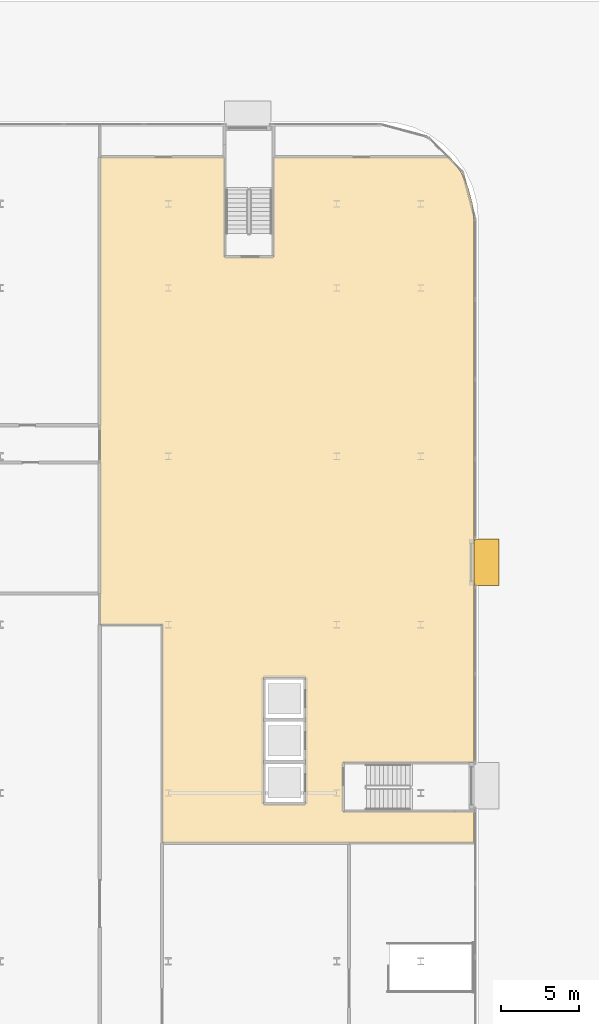
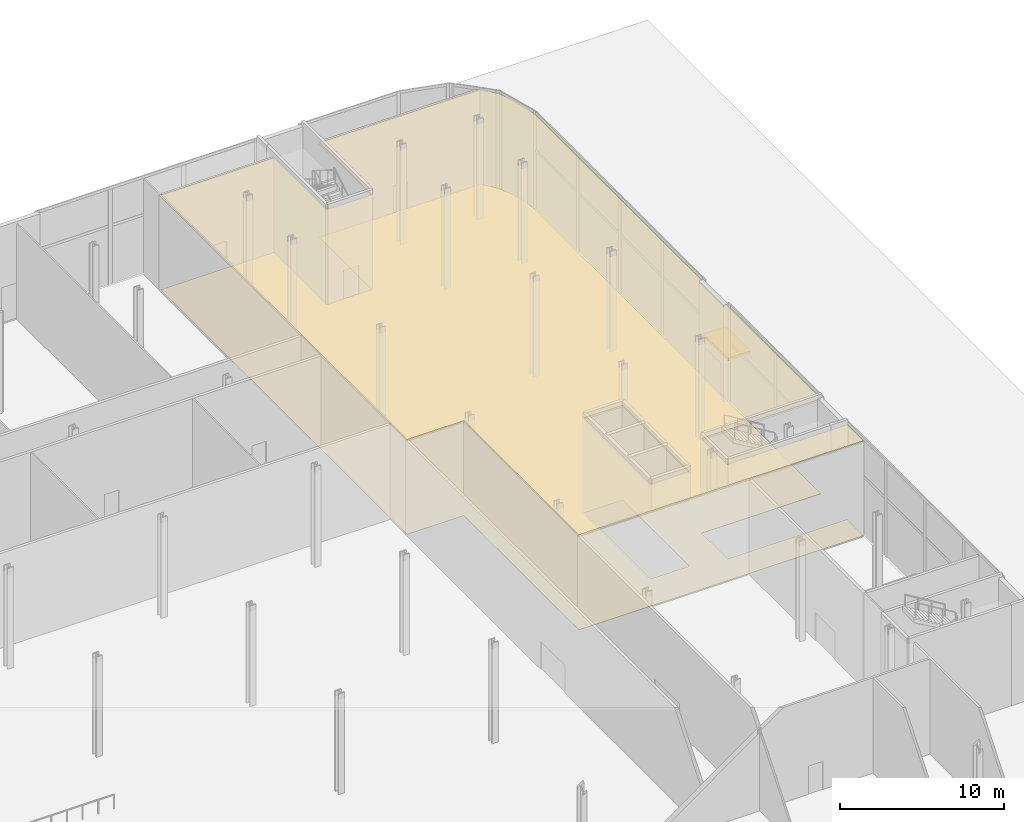
# One storey, part 44 of 46: 2 coverings, 1 shading device.
"""IFC4 building model written with IfcOpenShell, lengths in metres."""

import ifcopenshell
import ifcopenshell.guid

model = None  # the IFC model being written
_history = None  # IfcOwnerHistory: only IFC2X3 demands one
_inside = {}  # id of a spatial element -> (the spatial element, [elements in it])
_under = {}  # id of a project, library or spatial element -> (it, [spatial elements below it])
_declared = {}  # id of a project -> (the project, [libraries it declares])
_typed = {}  # id of a type object -> (the type object, [elements of that type])
_made_of = {}  # id of a material, layer set ... -> (it, [elements and type objects made of it])


def new_model(schema):
    """Start an empty IFC model of exactly this schema.

    Asked for "IFC4X3", IfcOpenShell would pick the latest addendum, in which some entities
    have other attributes; the version numbers below select the first issue.
    IFC2X3 requires an IfcOwnerHistory on every rooted entity: one is made here for all.
    """
    global model, _history
    if schema == "IFC4X3":
        model = ifcopenshell.file(schema_version=(4, 3, 0, 0))
    else:
        model = ifcopenshell.file(schema=schema)
    _inside.clear()
    _under.clear()
    _declared.clear()
    _typed.clear()
    _made_of.clear()
    _history = None
    if model.schema == "IFC2X3":
        org = make("IfcOrganization", Name="unknown")
        user = make(
            "IfcPersonAndOrganization",
            ThePerson=make("IfcPerson", FamilyName="unknown"),
            TheOrganization=org,
        )
        app = make(
            "IfcApplication",
            ApplicationDeveloper=org,
            Version="unknown",
            ApplicationFullName="unknown",
            ApplicationIdentifier="unknown",
        )
        _history = make(
            "IfcOwnerHistory",
            OwningUser=user,
            OwningApplication=app,
            ChangeAction="ADDED",
            CreationDate=0,
        )
    return model


def make(cls, **values):
    """One entity of the class cls with the attributes given. An attribute that is None is left unset."""
    return model.create_entity(
        cls, **{name: value for name, value in values.items() if value is not None}
    )


def rooted(cls, **values):
    """An entity with a GlobalId (a new one), such as an element, a storey or a relation."""
    return make(cls, GlobalId=ifcopenshell.guid.new(), OwnerHistory=_history, **values)


def si_unit(unit_type, name, prefix=None):
    """IfcSIUnit, for example si_unit("LENGTHUNIT", "METRE", prefix="MILLI")."""
    return make("IfcSIUnit", UnitType=unit_type, Prefix=prefix, Name=name)


def assignment(units):
    """IfcUnitAssignment: the units of a project."""
    return None if units is None else make("IfcUnitAssignment", Units=units)


def point(xyz):
    """IfcCartesianPoint."""
    return None if xyz is None else make("IfcCartesianPoint", Coordinates=xyz)


def direction(xyz):
    """IfcDirection."""
    return None if xyz is None else make("IfcDirection", DirectionRatios=xyz)


def frame(location, z_axis=None, x_axis=None):
    """IfcAxis2Placement3D, a coordinate frame: its origin and axes. An axis left out is left unset."""
    return make(
        "IfcAxis2Placement3D",
        Location=point(location),
        Axis=direction(z_axis),
        RefDirection=direction(x_axis),
    )


def frame_2d(location, x_axis=None):
    """IfcAxis2Placement2D, a coordinate frame in the plane: its origin and x axis."""
    return make(
        "IfcAxis2Placement2D", Location=point(location), RefDirection=direction(x_axis)
    )


def origin():
    """The frame at (0, 0, 0) with its axes left unset."""
    return frame((0.0, 0.0, 0.0))


def origin_2d():
    """The frame at (0, 0) in the plane with its x axis left unset."""
    return frame_2d((0.0, 0.0))


def place(relative_to, where):
    """IfcLocalPlacement: puts the frame where relative to a parent placement (None: the world)."""
    return make(
        "IfcLocalPlacement", PlacementRelTo=relative_to, RelativePlacement=where
    )


def context(
    kind, dimensions, precision=None, world=None, true_north=None, identifier=None
):
    """IfcGeometricRepresentationContext, for example the 3D "Model" context."""
    return make(
        "IfcGeometricRepresentationContext",
        ContextIdentifier=identifier,
        ContextType=kind,
        CoordinateSpaceDimension=dimensions,
        Precision=precision,
        WorldCoordinateSystem=world,
        TrueNorth=true_north,
    )


def subcontext(parent, identifier, kind, view, scale=None):
    """IfcGeometricRepresentationSubContext, for example "Body" below "Model"."""
    return make(
        "IfcGeometricRepresentationSubContext",
        ContextIdentifier=identifier,
        ContextType=kind,
        ParentContext=parent,
        TargetScale=scale,
        TargetView=view,
    )


def project(units=None, contexts=None):
    """IfcProject with its units and contexts."""
    return rooted(
        "IfcProject",
        Name="project",
        RepresentationContexts=contexts,
        UnitsInContext=assignment(units),
    )


def spatial(cls, under=None, at=None, **own):
    """A site, building, storey or space (cls), placed at a placement, below another one or the project."""
    s = rooted(cls, ObjectPlacement=at, **own)
    if under is not None:
        _under.setdefault(under.id(), (under, []))[1].append(s)
    return s


def polyline(points):
    """IfcPolyline through the points."""
    return make("IfcPolyline", Points=[point(p) for p in points])


def profile(cls, at=None, kind="AREA", **sizes):
    """A parametric profile (cls). Its sizes go by their IFC names, for example OverallWidth=200.0."""
    return make(cls, ProfileType=kind, Position=at, **sizes)


def rectangle(**sizes):
    """IfcRectangleProfileDef."""
    return profile("IfcRectangleProfileDef", **sizes)


def outline(outer, holes=None, kind="AREA"):
    """IfcArbitraryClosedProfileDef: a profile drawn as a closed curve; with holes, ...WithVoids."""
    if holes is None:
        return make("IfcArbitraryClosedProfileDef", ProfileType=kind, OuterCurve=outer)
    return make(
        "IfcArbitraryProfileDefWithVoids",
        ProfileType=kind,
        OuterCurve=outer,
        InnerCurves=holes,
    )


def extrude(swept, where, along, depth):
    """IfcExtrudedAreaSolid: the profile swept, set in the frame where, extruded along a direction by depth."""
    return make(
        "IfcExtrudedAreaSolid",
        SweptArea=swept,
        Position=where,
        ExtrudedDirection=direction(along),
        Depth=depth,
    )


def shape(context_of_items, identifier, shape_type, items):
    """IfcShapeRepresentation: the items that make up one representation, for example the "Body"."""
    return make(
        "IfcShapeRepresentation",
        ContextOfItems=context_of_items,
        RepresentationIdentifier=identifier,
        RepresentationType=shape_type,
        Items=items,
    )


def material(Name=None, Category=None):
    """IfcMaterial."""
    return make("IfcMaterial", Name=Name, Category=Category)


def layer(
    of_material, thickness, ventilated=None, Name=None, Category=None, Priority=None
):
    """IfcMaterialLayer: one layer of a wall or slab, of a material (None: an air gap)."""
    return make(
        "IfcMaterialLayer",
        Material=of_material,
        LayerThickness=thickness,
        IsVentilated=ventilated,
        Name=Name,
        Category=Category,
        Priority=Priority,
    )


def layer_set(layers, Name=None):
    """IfcMaterialLayerSet."""
    return make("IfcMaterialLayerSet", MaterialLayers=layers, LayerSetName=Name)


def made_of(thing, what):
    """Note that an element or type object is made of a material, layer set ...; save() writes the relation."""
    if what is not None:
        _made_of.setdefault(what.id(), (what, []))[1].append(thing)
    return thing


def type_object(cls, material=None, **own):
    """A type object (cls), such as IfcWallType, which elements share."""
    return made_of(rooted(cls, **own), material)


def element(
    cls,
    number,
    at=None,
    inside=None,
    cuts=None,
    type_object=None,
    material=None,
    context=None,
    identifier="Body",
    shape_type=None,
    held_by="IfcProductDefinitionShape",
    body=None,
    shapes=None,
    **own,
):
    """One element of the class cls, such as IfcWall. Its Tag is "e" and its number.

    at: its placement. inside: the storey or other place that contains it. cuts: it is an
    opening in that element (IfcRelVoidsElement). A single representation is given by context,
    identifier, shape_type and body (its items); several are given by shapes. held_by: the class
    of the entity that holds the representations. save() writes the other relations.
    """
    e = rooted(cls, Tag="e%d" % number, ObjectPlacement=at, **own)
    if body is not None:
        shapes = [shape(context, identifier, shape_type, body)]
    if shapes is not None:
        e.Representation = make(held_by, Representations=shapes)
    if inside is not None:
        _inside.setdefault(inside.id(), (inside, []))[1].append(e)
    if cuts is not None:
        rooted(
            "IfcRelVoidsElement", RelatingBuildingElement=cuts, RelatedOpeningElement=e
        )
    if type_object is not None:
        _typed.setdefault(type_object.id(), (type_object, []))[1].append(e)
    return made_of(e, material)


def aggregate(whole, parts):
    """IfcRelAggregates: a whole, such as a stair, and the parts it consists of."""
    return rooted("IfcRelAggregates", RelatingObject=whole, RelatedObjects=parts)


def save(model, path):
    """Write the relations noted so far, then the file.

    IfcRelAggregates (storeys below a building ...), IfcRelContainedInSpatialStructure (elements
    in a storey), IfcRelDefinesByType, IfcRelAssociatesMaterial and IfcRelDeclares: one each for
    every whole, place, type object, material and project.
    """
    for whole, parts in _under.values():
        aggregate(whole, parts)
    for where, things in _inside.values():
        rooted(
            "IfcRelContainedInSpatialStructure",
            RelatedElements=things,
            RelatingStructure=where,
        )
    for kind, things in _typed.values():
        rooted("IfcRelDefinesByType", RelatedObjects=things, RelatingType=kind)
    for what, things in _made_of.values():
        rooted("IfcRelAssociatesMaterial", RelatedObjects=things, RelatingMaterial=what)
    for by, libraries in _declared.values():
        rooted("IfcRelDeclares", RelatingContext=by, RelatedDefinitions=libraries)
    model.write(path)


model = new_model("IFC4")

# Units and contexts
model_context = context("Model", 3, precision=1e-05, world=origin(), true_north=direction((0.0, 1.0)))
body_context = subcontext(model_context, "Body", "Model", "MODEL_VIEW")
ifc_project = project(units=[si_unit("LENGTHUNIT", "METRE"), si_unit("AREAUNIT", "SQUARE_METRE"), si_unit("VOLUMEUNIT", "CUBIC_METRE"), si_unit("PLANEANGLEUNIT", "RADIAN"), si_unit("MASSUNIT", "GRAM", prefix="KILO")], contexts=[model_context])

# Site, building, storey
site_placement = place(None, origin())
site = spatial("IfcSite", under=ifc_project, at=site_placement, CompositionType="ELEMENT")
building_placement = place(site_placement, origin())
building = spatial("IfcBuilding", under=site, at=building_placement, Name="Kheshtan School and Residences Tower", CompositionType="ELEMENT")
storey_placement = place(building_placement, origin())
storey = spatial("IfcBuildingStorey", under=building, at=storey_placement, Name="L00", CompositionType="ELEMENT", Elevation=0.0)

# Shading device
ifc_material_1 = material(Name="Zinc standing seam on insulated deck")
ifc_layer_1 = layer(ifc_material_1, 0.10009765625)
ifc_layer_set_1 = layer_set([ifc_layer_1], Name="Canopy awning")
shading_device_type = type_object("IfcShadingDeviceType", Name="Canopy awning", PredefinedType="AWNING", material=ifc_layer_set_1)
shading_device_placement = place(storey_placement, frame((132.800048828125, 82.0, 3.0), z_axis=(0.0, 0.0, 1.0), x_axis=(0.0, -1.0, 0.0)))
element("IfcShadingDevice", 1, at=shading_device_placement, inside=storey, type_object=shading_device_type, Name="Entrance canopy 8.1", PredefinedType="AWNING", context=body_context, shape_type="SweptSolid", body=[
    extrude(rectangle(XDim=3.0, YDim=1.60009765625, at=origin_2d()), origin(), (0.0, 0.0, 1.0), 0.199951171875),
])

# Coverings
ifc_material_2 = material(Name="Polished granite paving on screed", Category="masonry")
ifc_layer_2 = layer(ifc_material_2, 0.030029296875)
ifc_layer_set_2 = layer_set([ifc_layer_2], Name="Stone floor finish 30")
covering_type_1 = type_object("IfcCoveringType", Name="Stone floor finish 30", PredefinedType="FLOORING", material=ifc_layer_set_2)
covering_1_placement = place(storey_placement, origin())
element("IfcCovering", 2, at=covering_1_placement, inside=storey, type_object=covering_type_1, Name="Floor finish School Lobby L00", PredefinedType="FLOORING", context=body_context, shape_type="SweptSolid", body=[
    extrude(outline(polyline([(130.452880859375, 108.0), (119.14990234375, 108.0), (119.14990234375, 101.60009765625), (116.0, 101.60009765625), (116.0, 108.0), (108.0, 108.0), (108.0, 78.0), (112.0, 78.0), (112.0, 64.0), (132.0, 64.0), (132.0, 66.0), (123.60009765625, 66.0), (123.60009765625, 69.14990234375), (132.0, 69.14990234375), (132.0, 104.0), (131.908935546875, 105.0419921875), (131.637939453125, 106.052001953125), (131.196044921875, 107.0), (130.595947265625, 107.85693359375), (130.452880859375, 108.0)]), holes=[polyline([(121.199951171875, 66.5), (118.5, 66.5), (118.5, 74.60009765625), (121.199951171875, 74.60009765625), (121.199951171875, 66.5)])]), origin(), (0.0, 0.0, 1.0), 0.030029296875),
])
ifc_material_3 = material(Name="Plasterboard ceiling tiles on metal grid")
ifc_layer_3 = layer(ifc_material_3, 0.14990234375)
ifc_layer_set_3 = layer_set([ifc_layer_3], Name="Suspended ceiling 150 plasterboard tiles")
covering_type_2 = type_object("IfcCoveringType", Name="Suspended ceiling 150 plasterboard tiles", PredefinedType="CEILING", material=ifc_layer_set_3)
covering_2_placement = place(storey_placement, frame((0.0, 0.0, 6.929931640625)))
element("IfcCovering", 3, at=covering_2_placement, inside=storey, type_object=covering_type_2, Name="Ceiling School Lobby L00", PredefinedType="CEILING", context=body_context, shape_type="SweptSolid", body=[
    extrude(outline(polyline([(130.452880859375, 108.0), (119.14990234375, 108.0), (119.14990234375, 101.60009765625), (116.0, 101.60009765625), (116.0, 108.0), (108.0, 108.0), (108.0, 78.0), (112.0, 78.0), (112.0, 64.0), (132.0, 64.0), (132.0, 66.0), (123.60009765625, 66.0), (123.60009765625, 69.14990234375), (132.0, 69.14990234375), (132.0, 104.0), (131.908935546875, 105.0419921875), (131.637939453125, 106.052001953125), (131.196044921875, 107.0), (130.595947265625, 107.85693359375), (130.452880859375, 108.0)]), holes=[polyline([(121.199951171875, 66.5), (118.5, 66.5), (118.5, 74.60009765625), (121.199951171875, 74.60009765625), (121.199951171875, 66.5)])]), origin(), (0.0, 0.0, 1.0), 0.150146484375),
])

save(model, "model.ifc")
